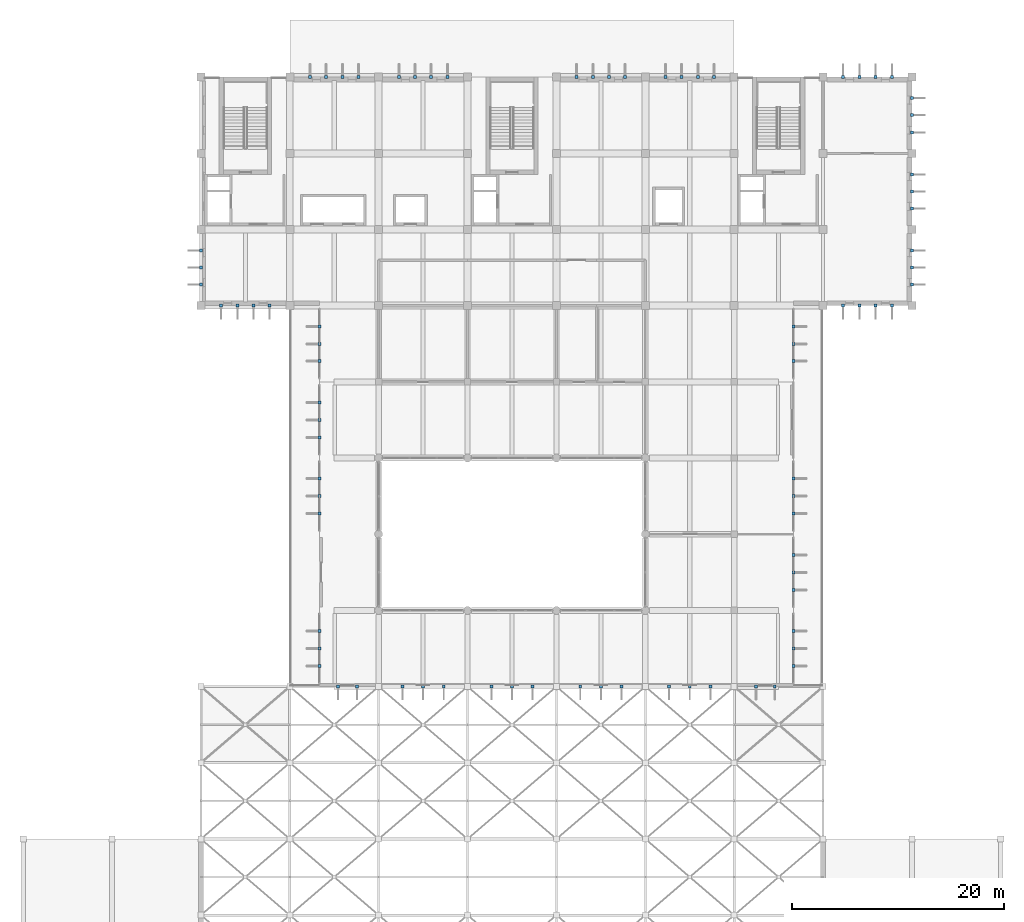
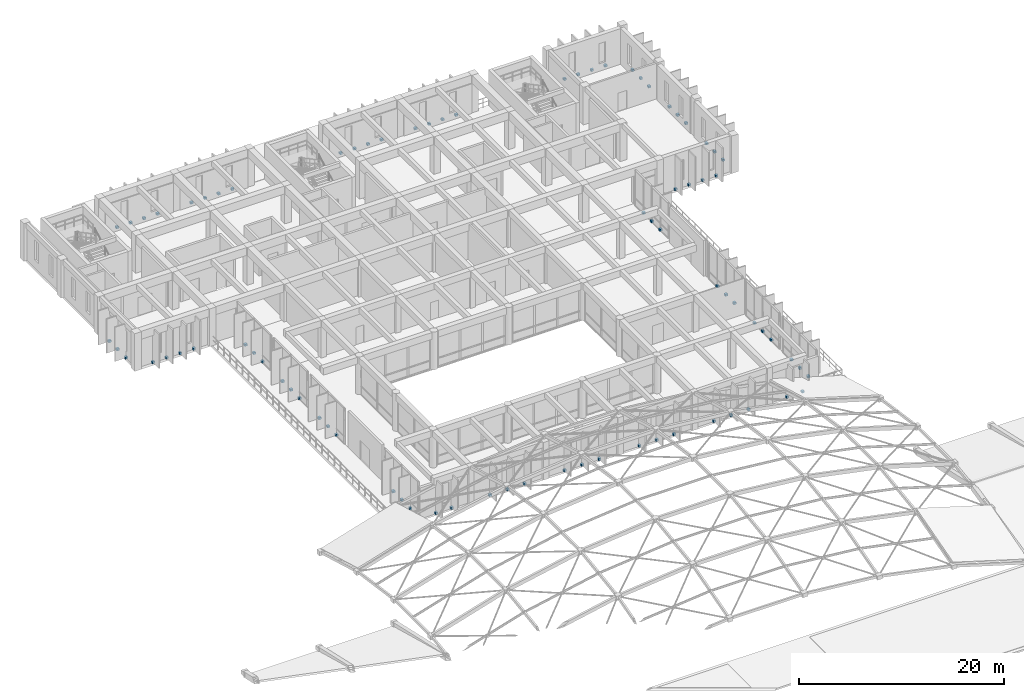
# One storey, part 20 of 23: 80 discrete accessories.
"""IFC4 building model written with IfcOpenShell, lengths in metres."""

from ifc_helpers import new_model, si_unit, direction, frame, origin, origin_2d, place, context, subcontext, project, spatial, rectangle, extrude, material, type_object, element, save


model = new_model("IFC4")

# Units and contexts
model_context = context("Model", 3, precision=1e-05, world=origin(), true_north=direction((0.0, 1.0)))
body_context = subcontext(model_context, "Body", "Model", "MODEL_VIEW")
ifc_project = project(units=[si_unit("LENGTHUNIT", "METRE"), si_unit("AREAUNIT", "SQUARE_METRE"), si_unit("VOLUMEUNIT", "CUBIC_METRE"), si_unit("PLANEANGLEUNIT", "RADIAN"), si_unit("MASSUNIT", "GRAM", prefix="KILO")], contexts=[model_context])

# Site, building, storey
site_placement = place(None, origin())
site = spatial("IfcSite", under=ifc_project, at=site_placement, CompositionType="ELEMENT")
building_placement = place(site_placement, origin())
building = spatial("IfcBuilding", under=site, at=building_placement, Name="Kenerak Square Central Library", CompositionType="ELEMENT")
storey_placement = place(building_placement, frame((0.0, 0.0, 18.8798828125)))
storey = spatial("IfcBuildingStorey", under=building, at=storey_placement, Name="L04", CompositionType="ELEMENT", Elevation=18.8798828125)

# Discrete accessories
ifc_material = material(Name="Steel S355", Category="steel")
discrete_accessory_type = type_object("IfcDiscreteAccessoryType", Name="Solar Fin Structural Cleat Bracket BRK-S355", PredefinedType="BRACKET", material=ifc_material)
for number, where, z_axis, x_axis, name in (
    (1, (112.63330078125, 52.800048828125, 0.0), (0.0, 0.0, 1.0), (-1.0, 0.0, 0.0), "Solar Fin Cleat Bracket BRK-01 L04 0327"),
    (2, (110.86669921875, 52.800048828125, 0.0), (0.0, 0.0, 1.0), (-1.0, 0.0, 0.0), "Solar Fin Cleat Bracket BRK-01 L04 0328"),
    (3, (106.550048828125, 52.800048828125, 0.0), (0.0, 0.0, 1.0), (-1.0, 0.0, 0.0), "Solar Fin Cleat Bracket BRK-01 L04 0329"),
    (4, (104.60009765625, 52.800048828125, 0.0), (0.0, 0.0, 1.0), (-1.0, 0.0, 0.0), "Solar Fin Cleat Bracket BRK-01 L04 0330"),
    (5, (102.64990234375, 52.800048828125, 0.0), (0.0, 0.0, 1.0), (-1.0, 0.0, 0.0), "Solar Fin Cleat Bracket BRK-01 L04 0331"),
    (6, (98.14990234375, 52.800048828125, 0.0), (0.0, 0.0, 1.0), (-1.0, 0.0, 0.0), "Solar Fin Cleat Bracket BRK-01 L04 0332"),
    (7, (96.199951171875, 52.800048828125, 0.0), (0.0, 0.0, 1.0), (-1.0, 0.0, 0.0), "Solar Fin Cleat Bracket BRK-01 L04 0333"),
    (8, (94.25, 52.800048828125, 0.0), (0.0, 0.0, 1.0), (-1.0, 0.0, 0.0), "Solar Fin Cleat Bracket BRK-01 L04 0334"),
    (9, (89.75, 52.800048828125, 0.0), (0.0, 0.0, 1.0), (-1.0, 0.0, 0.0), "Solar Fin Cleat Bracket BRK-01 L04 0335"),
    (10, (87.800048828125, 52.800048828125, 0.0), (0.0, 0.0, 1.0), (-1.0, 0.0, 0.0), "Solar Fin Cleat Bracket BRK-01 L04 0336"),
    (11, (85.85009765625, 52.800048828125, 0.0), (0.0, 0.0, 1.0), (-1.0, 0.0, 0.0), "Solar Fin Cleat Bracket BRK-01 L04 0337"),
    (12, (81.35009765625, 52.800048828125, 0.0), (0.0, 0.0, 1.0), (-1.0, 0.0, 0.0), "Solar Fin Cleat Bracket BRK-01 L04 0338"),
    (13, (79.39990234375, 52.800048828125, 0.0), (0.0, 0.0, 1.0), (-1.0, 0.0, 0.0), "Solar Fin Cleat Bracket BRK-01 L04 0339"),
    (14, (77.449951171875, 52.800048828125, 0.0), (0.0, 0.0, 1.0), (-1.0, 0.0, 0.0), "Solar Fin Cleat Bracket BRK-01 L04 0340"),
    (15, (73.13330078125, 52.800048828125, 0.0), (0.0, 0.0, 1.0), (-1.0, 0.0, 0.0), "Solar Fin Cleat Bracket BRK-01 L04 0341"),
    (16, (71.36669921875, 52.800048828125, 0.0), (0.0, 0.0, 1.0), (-1.0, 0.0, 0.0), "Solar Fin Cleat Bracket BRK-01 L04 0342"),
    (17, (69.60009765625, 54.75, 0.0), (0.0, 0.0, 1.0), (0.0, 1.0, 0.0), "Solar Fin Cleat Bracket BRK-01 L04 0343"),
    (18, (69.60009765625, 56.39990234375, 0.0), (0.0, 0.0, 1.0), (0.0, 1.0, 0.0), "Solar Fin Cleat Bracket BRK-01 L04 0344"),
    (19, (69.60009765625, 58.050048828125, 0.0), (0.0, 0.0, 1.0), (0.0, 1.0, 0.0), "Solar Fin Cleat Bracket BRK-01 L04 0345"),
    (20, (69.60009765625, 69.14990234375, 0.0), (0.0, 0.0, 1.0), (0.0, 1.0, 0.0), "Solar Fin Cleat Bracket BRK-01 L04 0346"),
    (21, (69.60009765625, 70.800048828125, 0.0), (0.0, 0.0, 1.0), (0.0, 1.0, 0.0), "Solar Fin Cleat Bracket BRK-01 L04 0347"),
    (22, (69.60009765625, 72.449951171875, 0.0), (0.0, 0.0, 1.0), (0.0, 1.0, 0.0), "Solar Fin Cleat Bracket BRK-01 L04 0348"),
    (23, (69.60009765625, 76.35009765625, 0.0), (0.0, 0.0, 1.0), (0.0, 1.0, 0.0), "Solar Fin Cleat Bracket BRK-01 L04 0349"),
    (24, (69.60009765625, 78.0, 0.0), (0.0, 0.0, 1.0), (0.0, 1.0, 0.0), "Solar Fin Cleat Bracket BRK-01 L04 0350"),
    (25, (69.60009765625, 79.64990234375, 0.0), (0.0, 0.0, 1.0), (0.0, 1.0, 0.0), "Solar Fin Cleat Bracket BRK-01 L04 0351"),
    (26, (69.60009765625, 83.550048828125, 0.0), (0.0, 0.0, 1.0), (0.0, 1.0, 0.0), "Solar Fin Cleat Bracket BRK-01 L04 0352"),
    (27, (69.60009765625, 85.199951171875, 0.0), (0.0, 0.0, 1.0), (0.0, 1.0, 0.0), "Solar Fin Cleat Bracket BRK-01 L04 0353"),
    (28, (69.60009765625, 86.85009765625, 0.0), (0.0, 0.0, 1.0), (0.0, 1.0, 0.0), "Solar Fin Cleat Bracket BRK-01 L04 0354"),
    (29, (64.89501953125, 88.800048828125, 0.0), (0.0, 0.0, 1.0), (-1.0, 0.0, 0.0), "Solar Fin Cleat Bracket BRK-01 L04 0355"),
    (30, (63.364990234375, 88.800048828125, 0.0), (0.0, 0.0, 1.0), (-1.0, 0.0, 0.0), "Solar Fin Cleat Bracket BRK-01 L04 0356"),
    (31, (61.8349609375, 88.800048828125, 0.0), (0.0, 0.0, 1.0), (-1.0, 0.0, 0.0), "Solar Fin Cleat Bracket BRK-01 L04 0357"),
    (32, (60.304931640625, 88.800048828125, 0.0), (0.0, 0.0, 1.0), (-1.0, 0.0, 0.0), "Solar Fin Cleat Bracket BRK-01 L04 0358"),
    (33, (58.39990234375, 90.78759765625, 0.0), (0.0, 0.0, 1.0), (0.0, 1.0, 0.0), "Solar Fin Cleat Bracket BRK-01 L04 0359"),
    (34, (58.39990234375, 92.39990234375, 0.0), (0.0, 0.0, 1.0), (0.0, 1.0, 0.0), "Solar Fin Cleat Bracket BRK-01 L04 0360"),
    (35, (58.39990234375, 94.012451171875, 0.0), (0.0, 0.0, 1.0), (0.0, 1.0, 0.0), "Solar Fin Cleat Bracket BRK-01 L04 0361"),
    (36, (68.705078125, 110.39990234375, 0.0), (0.0, 0.0, 1.0), (1.0, 0.0, 0.0), "Solar Fin Cleat Bracket BRK-01 L04 0362"),
    (37, (70.235107421875, 110.39990234375, 0.0), (0.0, 0.0, 1.0), (1.0, 0.0, 0.0), "Solar Fin Cleat Bracket BRK-01 L04 0363"),
    (38, (71.764892578125, 110.39990234375, 0.0), (0.0, 0.0, 1.0), (1.0, 0.0, 0.0), "Solar Fin Cleat Bracket BRK-01 L04 0364"),
    (39, (73.294921875, 110.39990234375, 0.0), (0.0, 0.0, 1.0), (1.0, 0.0, 0.0), "Solar Fin Cleat Bracket BRK-01 L04 0365"),
    (40, (77.10498046875, 110.39990234375, 0.0), (0.0, 0.0, 1.0), (1.0, 0.0, 0.0), "Solar Fin Cleat Bracket BRK-01 L04 0366"),
    (41, (78.635009765625, 110.39990234375, 0.0), (0.0, 0.0, 1.0), (1.0, 0.0, 0.0), "Solar Fin Cleat Bracket BRK-01 L04 0367"),
    (42, (80.1650390625, 110.39990234375, 0.0), (0.0, 0.0, 1.0), (1.0, 0.0, 0.0), "Solar Fin Cleat Bracket BRK-01 L04 0368"),
    (43, (81.695068359375, 110.39990234375, 0.0), (0.0, 0.0, 1.0), (1.0, 0.0, 0.0), "Solar Fin Cleat Bracket BRK-01 L04 0369"),
    (44, (93.905029296875, 110.39990234375, 0.0), (0.0, 0.0, 1.0), (1.0, 0.0, 0.0), "Solar Fin Cleat Bracket BRK-01 L04 0370"),
    (45, (95.43505859375, 110.39990234375, 0.0), (0.0, 0.0, 1.0), (1.0, 0.0, 0.0), "Solar Fin Cleat Bracket BRK-01 L04 0371"),
    (46, (96.965087890625, 110.39990234375, 0.0), (0.0, 0.0, 1.0), (1.0, 0.0, 0.0), "Solar Fin Cleat Bracket BRK-01 L04 0372"),
    (47, (98.4951171875, 110.39990234375, 0.0), (0.0, 0.0, 1.0), (1.0, 0.0, 0.0), "Solar Fin Cleat Bracket BRK-01 L04 0373"),
    (48, (102.304931640625, 110.39990234375, 0.0), (0.0, 0.0, 1.0), (1.0, 0.0, 0.0), "Solar Fin Cleat Bracket BRK-01 L04 0374"),
    (49, (103.8349609375, 110.39990234375, 0.0), (0.0, 0.0, 1.0), (1.0, 0.0, 0.0), "Solar Fin Cleat Bracket BRK-01 L04 0375"),
    (50, (105.364990234375, 110.39990234375, 0.0), (0.0, 0.0, 1.0), (1.0, 0.0, 0.0), "Solar Fin Cleat Bracket BRK-01 L04 0376"),
    (51, (106.89501953125, 110.39990234375, 0.0), (0.0, 0.0, 1.0), (1.0, 0.0, 0.0), "Solar Fin Cleat Bracket BRK-01 L04 0377"),
    (52, (119.10498046875, 110.39990234375, 0.0), (0.0, 0.0, 1.0), (1.0, 0.0, 0.0), "Solar Fin Cleat Bracket BRK-01 L04 0378"),
    (53, (120.635009765625, 110.39990234375, 0.0), (0.0, 0.0, 1.0), (1.0, 0.0, 0.0), "Solar Fin Cleat Bracket BRK-01 L04 0379"),
    (54, (122.1650390625, 110.39990234375, 0.0), (0.0, 0.0, 1.0), (1.0, 0.0, 0.0), "Solar Fin Cleat Bracket BRK-01 L04 0380"),
    (55, (123.695068359375, 110.39990234375, 0.0), (0.0, 0.0, 1.0), (1.0, 0.0, 0.0), "Solar Fin Cleat Bracket BRK-01 L04 0381"),
    (56, (125.60009765625, 108.41259765625, 0.0), (0.0, 0.0, 1.0), (0.0, -1.0, 0.0), "Solar Fin Cleat Bracket BRK-01 L04 0382"),
    (57, (125.60009765625, 106.800048828125, 0.0), (0.0, 0.0, 1.0), (0.0, -1.0, 0.0), "Solar Fin Cleat Bracket BRK-01 L04 0383"),
    (58, (125.60009765625, 105.1875, 0.0), (0.0, 0.0, 1.0), (0.0, -1.0, 0.0), "Solar Fin Cleat Bracket BRK-01 L04 0384"),
    (59, (125.60009765625, 101.21240234375, 0.0), (0.0, 0.0, 1.0), (0.0, -1.0, 0.0), "Solar Fin Cleat Bracket BRK-01 L04 0385"),
    (60, (125.60009765625, 99.60009765625, 0.0), (0.0, 0.0, 1.0), (0.0, -1.0, 0.0), "Solar Fin Cleat Bracket BRK-01 L04 0386"),
    (61, (125.60009765625, 97.987548828125, 0.0), (0.0, 0.0, 1.0), (0.0, -1.0, 0.0), "Solar Fin Cleat Bracket BRK-01 L04 0387"),
    (62, (125.60009765625, 94.012451171875, 0.0), (0.0, 0.0, 1.0), (0.0, -1.0, 0.0), "Solar Fin Cleat Bracket BRK-01 L04 0388"),
    (63, (125.60009765625, 92.39990234375, 0.0), (0.0, 0.0, 1.0), (0.0, -1.0, 0.0), "Solar Fin Cleat Bracket BRK-01 L04 0389"),
    (64, (125.60009765625, 90.78759765625, 0.0), (0.0, 0.0, 1.0), (0.0, -1.0, 0.0), "Solar Fin Cleat Bracket BRK-01 L04 0390"),
    (65, (123.695068359375, 88.800048828125, 0.0), (0.0, 0.0, 1.0), (-1.0, 0.0, 0.0), "Solar Fin Cleat Bracket BRK-01 L04 0391"),
    (66, (122.1650390625, 88.800048828125, 0.0), (0.0, 0.0, 1.0), (-1.0, 0.0, 0.0), "Solar Fin Cleat Bracket BRK-01 L04 0392"),
    (67, (120.635009765625, 88.800048828125, 0.0), (0.0, 0.0, 1.0), (-1.0, 0.0, 0.0), "Solar Fin Cleat Bracket BRK-01 L04 0393"),
    (68, (119.10498046875, 88.800048828125, 0.0), (0.0, 0.0, 1.0), (-1.0, 0.0, 0.0), "Solar Fin Cleat Bracket BRK-01 L04 0394"),
    (69, (114.39990234375, 86.85009765625, 0.0), (0.0, 0.0, 1.0), (0.0, -1.0, 0.0), "Solar Fin Cleat Bracket BRK-01 L04 0395"),
    (70, (114.39990234375, 85.199951171875, 0.0), (0.0, 0.0, 1.0), (0.0, -1.0, 0.0), "Solar Fin Cleat Bracket BRK-01 L04 0396"),
    (71, (114.39990234375, 83.550048828125, 0.0), (0.0, 0.0, 1.0), (0.0, -1.0, 0.0), "Solar Fin Cleat Bracket BRK-01 L04 0397"),
    (72, (114.39990234375, 72.449951171875, 0.0), (0.0, 0.0, 1.0), (0.0, -1.0, 0.0), "Solar Fin Cleat Bracket BRK-01 L04 0398"),
    (73, (114.39990234375, 70.800048828125, 0.0), (0.0, 0.0, 1.0), (0.0, -1.0, 0.0), "Solar Fin Cleat Bracket BRK-01 L04 0399"),
    (74, (114.39990234375, 69.14990234375, 0.0), (0.0, 0.0, 1.0), (0.0, -1.0, 0.0), "Solar Fin Cleat Bracket BRK-01 L04 0400"),
    (75, (114.39990234375, 65.25, 0.0), (0.0, 0.0, 1.0), (0.0, -1.0, 0.0), "Solar Fin Cleat Bracket BRK-01 L04 0401"),
    (76, (114.39990234375, 63.60009765625, 0.0), (0.0, 0.0, 1.0), (0.0, -1.0, 0.0), "Solar Fin Cleat Bracket BRK-01 L04 0402"),
    (77, (114.39990234375, 61.949951171875, 0.0), (0.0, 0.0, 1.0), (0.0, -1.0, 0.0), "Solar Fin Cleat Bracket BRK-01 L04 0403"),
    (78, (114.39990234375, 58.050048828125, 0.0), (0.0, 0.0, 1.0), (0.0, -1.0, 0.0), "Solar Fin Cleat Bracket BRK-01 L04 0404"),
    (79, (114.39990234375, 56.39990234375, 0.0), (0.0, 0.0, 1.0), (0.0, -1.0, 0.0), "Solar Fin Cleat Bracket BRK-01 L04 0405"),
    (80, (114.39990234375, 54.75, 0.0), (0.0, 0.0, 1.0), (0.0, -1.0, 0.0), "Solar Fin Cleat Bracket BRK-01 L04 0406"),
):
    element("IfcDiscreteAccessory", number, at=place(storey_placement, frame(where, z_axis=z_axis, x_axis=x_axis)), inside=storey, type_object=discrete_accessory_type, Name=name, PredefinedType="BRACKET", context=body_context, shape_type="SweptSolid", body=[
        extrude(rectangle(XDim=0.280029296875, YDim=0.280029296875, at=origin_2d()), origin(), (0.0, 0.0, 1.0), 0.239990234375),
    ])

save(model, "model.ifc")
